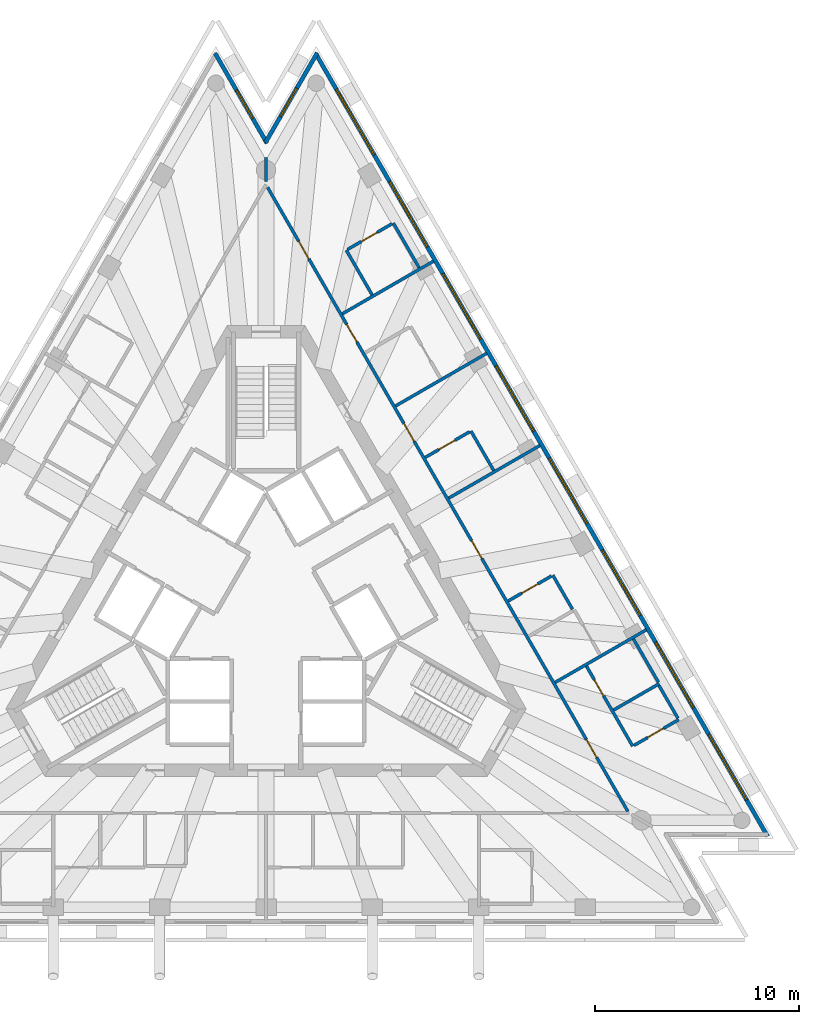
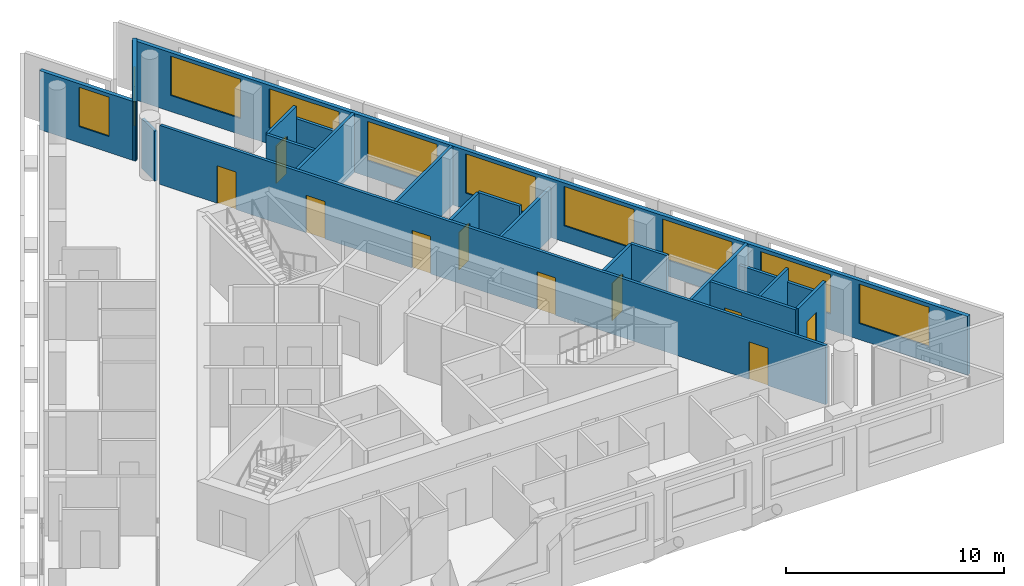
# One storey, part 7 of 10: 21 walls, 10 doors, 10 windows, 20 openings.
"""IFC4 building model written with IfcOpenShell, lengths in metres."""

from ifc_helpers import new_model, si_unit, direction, frame, frame_2d, origin, place, context, subcontext, project, spatial, rectangle, extrude, material, layer, layer_set, layer_usage, type_object, element, fill, save


model = new_model("IFC4")

# Units and contexts
model_context = context("Model", 3, precision=1e-05, world=origin(), true_north=direction((0.0, 1.0)))
body_context = subcontext(model_context, "Body", "Model", "MODEL_VIEW")
ifc_project = project(units=[si_unit("LENGTHUNIT", "METRE"), si_unit("AREAUNIT", "SQUARE_METRE"), si_unit("VOLUMEUNIT", "CUBIC_METRE"), si_unit("PLANEANGLEUNIT", "RADIAN"), si_unit("MASSUNIT", "GRAM", prefix="KILO")], contexts=[model_context])

# Site, building, storey
site_placement = place(None, origin())
site = spatial("IfcSite", under=ifc_project, at=site_placement, CompositionType="ELEMENT")
building_placement = place(site_placement, origin())
building = spatial("IfcBuilding", under=site, at=building_placement, Name="Triada Interchange Tower", CompositionType="ELEMENT")
storey_placement = place(building_placement, frame((0.0, 0.0, 318.699951171875)))
storey = spatial("IfcBuildingStorey", under=building, at=storey_placement, Name="L76", CompositionType="ELEMENT", Elevation=318.699951171875)

# Wall, openings, windows
ifc_material_1 = material(Name="Cement board")
ifc_layer_1 = layer(ifc_material_1, 0.02001953125, Name="Cement board cladding")
ifc_material_2 = material(Name="Sheathing board")
ifc_layer_2 = layer(ifc_material_2, 0.014892578125, Name="Sheathing board")
ifc_material_3 = material(Name="Mineral wool")
ifc_layer_3 = layer(ifc_material_3, 0.14990234375, Name="Mineral wool between steel studs")
ifc_material_4 = material(Name="Gypsum board")
ifc_layer_4 = layer(ifc_material_4, 0.014892578125, Name="Plasterboard lining")
ifc_layer_set_1 = layer_set([ifc_layer_1, ifc_layer_2, ifc_layer_3, ifc_layer_4], Name="External wall 200")
ifc_layer_usage = layer_usage(ifc_layer_set_1, "AXIS2", "POSITIVE", -0.10009765625)
wall_type_1 = type_object("IfcWallType", Name="External wall 200", PredefinedType="ELEMENTEDWALL", material=ifc_layer_set_1)
wall_1_placement = place(storey_placement, frame((24.5439453125, -11.385009765625, 0.0), z_axis=(0.0, 0.0, 1.0), x_axis=(-0.500002044679, 0.866024223285, 0.0)))
wall_1 = element("IfcWall", 1, at=wall_1_placement, inside=storey, type_object=wall_type_1, material=ifc_layer_usage, Name="External wall L76 NE", PredefinedType="ELEMENTEDWALL", context=body_context, shape_type="SweptSolid", body=[
    extrude(rectangle(XDim=44.243408203125, YDim=0.199951171875, at=frame_2d((22.12158203125, 0.0))), origin(), (0.0, 0.0, 1.0), 3.300048828125),
])
opening_1_placement = place(wall_1_placement, frame((2.055908203125, 0.0, 0.89990234375)))
opening_1 = element("IfcOpeningElement", 2, at=opening_1_placement, cuts=wall_1, Name="Opening WD21", PredefinedType="OPENING", context=body_context, shape_type="SweptSolid", body=[
    extrude(rectangle(XDim=3.699951171875, YDim=2.199951171875, at=frame_2d((1.85009765625, 1.10009765625))), frame((0.0, 0.10986328125, 0.0), z_axis=(0.0, -1.0, 0.0), x_axis=(1.0, 0.0, 0.0)), (0.0, 0.0, 1.0), 0.219970703125),
])
opening_2_placement = place(wall_1_placement, frame((7.263916015625, 0.0, 0.89990234375)))
opening_2 = element("IfcOpeningElement", 3, at=opening_2_placement, cuts=wall_1, Name="Opening WD22", PredefinedType="OPENING", context=body_context, shape_type="SweptSolid", body=[
    extrude(rectangle(XDim=3.699951171875, YDim=2.199951171875, at=frame_2d((1.85009765625, 1.10009765625))), frame((0.0, 0.10986328125, 0.0), z_axis=(0.0, -1.0, 0.0), x_axis=(1.0, 0.0, 0.0)), (0.0, 0.0, 1.0), 0.219970703125),
])
opening_3_placement = place(wall_1_placement, frame((12.470947265625, 0.0, 0.89990234375)))
opening_3 = element("IfcOpeningElement", 4, at=opening_3_placement, cuts=wall_1, Name="Opening WD23", PredefinedType="OPENING", context=body_context, shape_type="SweptSolid", body=[
    extrude(rectangle(XDim=3.699951171875, YDim=2.199951171875, at=frame_2d((1.85009765625, 1.10009765625))), frame((0.0, 0.10986328125, 0.0), z_axis=(0.0, -1.0, 0.0), x_axis=(1.0, 0.0, 0.0)), (0.0, 0.0, 1.0), 0.219970703125),
])
opening_4_placement = place(wall_1_placement, frame((17.677978515625, 0.0, 0.89990234375)))
opening_4 = element("IfcOpeningElement", 5, at=opening_4_placement, cuts=wall_1, Name="Opening WD24", PredefinedType="OPENING", context=body_context, shape_type="SweptSolid", body=[
    extrude(rectangle(XDim=3.699951171875, YDim=2.199951171875, at=frame_2d((1.85009765625, 1.10009765625))), frame((0.0, 0.10986328125, 0.0), z_axis=(0.0, -1.0, 0.0), x_axis=(1.0, 0.0, 0.0)), (0.0, 0.0, 1.0), 0.219970703125),
])
opening_5_placement = place(wall_1_placement, frame((22.885009765625, 0.0, 0.89990234375)))
opening_5 = element("IfcOpeningElement", 6, at=opening_5_placement, cuts=wall_1, Name="Opening WD25", PredefinedType="OPENING", context=body_context, shape_type="SweptSolid", body=[
    extrude(rectangle(XDim=3.699951171875, YDim=2.199951171875, at=frame_2d((1.85009765625, 1.10009765625))), frame((0.0, 0.10986328125, 0.0), z_axis=(0.0, -1.0, 0.0), x_axis=(1.0, 0.0, 0.0)), (0.0, 0.0, 1.0), 0.219970703125),
])
opening_6_placement = place(wall_1_placement, frame((28.093017578125, 0.0, 0.89990234375)))
opening_6 = element("IfcOpeningElement", 7, at=opening_6_placement, cuts=wall_1, Name="Opening WD26", PredefinedType="OPENING", context=body_context, shape_type="SweptSolid", body=[
    extrude(rectangle(XDim=3.699951171875, YDim=2.199951171875, at=frame_2d((1.85009765625, 1.10009765625))), frame((0.0, 0.10986328125, 0.0), z_axis=(0.0, -1.0, 0.0), x_axis=(1.0, 0.0, 0.0)), (0.0, 0.0, 1.0), 0.219970703125),
])
opening_7_placement = place(wall_1_placement, frame((33.300048828125, 0.0, 0.89990234375)))
opening_7 = element("IfcOpeningElement", 8, at=opening_7_placement, cuts=wall_1, Name="Opening WD27", PredefinedType="OPENING", context=body_context, shape_type="SweptSolid", body=[
    extrude(rectangle(XDim=3.699951171875, YDim=2.199951171875, at=frame_2d((1.85009765625, 1.10009765625))), frame((0.0, 0.10986328125, 0.0), z_axis=(0.0, -1.0, 0.0), x_axis=(1.0, 0.0, 0.0)), (0.0, 0.0, 1.0), 0.219970703125),
])
opening_8_placement = place(wall_1_placement, frame((38.507080078125, 0.0, 0.89990234375)))
opening_8 = element("IfcOpeningElement", 9, at=opening_8_placement, cuts=wall_1, Name="Opening WD28", PredefinedType="OPENING", context=body_context, shape_type="SweptSolid", body=[
    extrude(rectangle(XDim=3.699951171875, YDim=2.199951171875, at=frame_2d((1.85009765625, 1.10009765625))), frame((0.0, 0.10986328125, 0.0), z_axis=(0.0, -1.0, 0.0), x_axis=(1.0, 0.0, 0.0)), (0.0, 0.0, 1.0), 0.219970703125),
])
ifc_material_5 = material(Name="Double glazed aluminium window", Category="aluminium")
window_type_1 = type_object("IfcWindowType", Name="Ribbon window D face", PartitioningType="SINGLE_PANEL", PredefinedType="WINDOW", material=ifc_material_5)
window_1_placement = place(opening_1_placement, origin())
window_1 = element("IfcWindow", 10, at=window_1_placement, inside=storey, type_object=window_type_1, Name="Window L76 NE 1", OverallHeight=2.199951171875, OverallWidth=3.699951171875, PartitioningType="SINGLE_PANEL", PredefinedType="WINDOW", context=body_context, shape_type="SweptSolid", body=[
    extrude(rectangle(XDim=3.699951171875, YDim=2.199951171875, at=frame_2d((1.85009765625, 1.10009765625))), frame((0.0, 0.030029296875, 0.0), z_axis=(0.0, -1.0, 0.0), x_axis=(1.0, 0.0, 0.0)), (0.0, 0.0, 1.0), 0.06005859375),
])
fill(opening_1, window_1)
window_2_placement = place(opening_2_placement, origin())
window_2 = element("IfcWindow", 11, at=window_2_placement, inside=storey, type_object=window_type_1, Name="Window L76 NE 2", OverallHeight=2.199951171875, OverallWidth=3.699951171875, PartitioningType="SINGLE_PANEL", PredefinedType="WINDOW", context=body_context, shape_type="SweptSolid", body=[
    extrude(rectangle(XDim=3.699951171875, YDim=2.199951171875, at=frame_2d((1.85009765625, 1.10009765625))), frame((0.0, 0.030029296875, 0.0), z_axis=(0.0, -1.0, 0.0), x_axis=(1.0, 0.0, 0.0)), (0.0, 0.0, 1.0), 0.06005859375),
])
fill(opening_2, window_2)
window_3_placement = place(opening_3_placement, origin())
window_3 = element("IfcWindow", 12, at=window_3_placement, inside=storey, type_object=window_type_1, Name="Window L76 NE 3", OverallHeight=2.199951171875, OverallWidth=3.699951171875, PartitioningType="SINGLE_PANEL", PredefinedType="WINDOW", context=body_context, shape_type="SweptSolid", body=[
    extrude(rectangle(XDim=3.699951171875, YDim=2.199951171875, at=frame_2d((1.85009765625, 1.10009765625))), frame((0.0, 0.030029296875, 0.0), z_axis=(0.0, -1.0, 0.0), x_axis=(1.0, 0.0, 0.0)), (0.0, 0.0, 1.0), 0.06005859375),
])
fill(opening_3, window_3)
window_4_placement = place(opening_4_placement, origin())
window_4 = element("IfcWindow", 13, at=window_4_placement, inside=storey, type_object=window_type_1, Name="Window L76 NE 4", OverallHeight=2.199951171875, OverallWidth=3.699951171875, PartitioningType="SINGLE_PANEL", PredefinedType="WINDOW", context=body_context, shape_type="SweptSolid", body=[
    extrude(rectangle(XDim=3.699951171875, YDim=2.199951171875, at=frame_2d((1.85009765625, 1.10009765625))), frame((0.0, 0.030029296875, 0.0), z_axis=(0.0, -1.0, 0.0), x_axis=(1.0, 0.0, 0.0)), (0.0, 0.0, 1.0), 0.06005859375),
])
fill(opening_4, window_4)
window_5_placement = place(opening_5_placement, origin())
window_5 = element("IfcWindow", 14, at=window_5_placement, inside=storey, type_object=window_type_1, Name="Window L76 NE 5", OverallHeight=2.199951171875, OverallWidth=3.699951171875, PartitioningType="SINGLE_PANEL", PredefinedType="WINDOW", context=body_context, shape_type="SweptSolid", body=[
    extrude(rectangle(XDim=3.699951171875, YDim=2.199951171875, at=frame_2d((1.85009765625, 1.10009765625))), frame((0.0, 0.030029296875, 0.0), z_axis=(0.0, -1.0, 0.0), x_axis=(1.0, 0.0, 0.0)), (0.0, 0.0, 1.0), 0.06005859375),
])
fill(opening_5, window_5)
window_6_placement = place(opening_6_placement, origin())
window_6 = element("IfcWindow", 15, at=window_6_placement, inside=storey, type_object=window_type_1, Name="Window L76 NE 6", OverallHeight=2.199951171875, OverallWidth=3.699951171875, PartitioningType="SINGLE_PANEL", PredefinedType="WINDOW", context=body_context, shape_type="SweptSolid", body=[
    extrude(rectangle(XDim=3.699951171875, YDim=2.199951171875, at=frame_2d((1.85009765625, 1.10009765625))), frame((0.0, 0.030029296875, 0.0), z_axis=(0.0, -1.0, 0.0), x_axis=(1.0, 0.0, 0.0)), (0.0, 0.0, 1.0), 0.06005859375),
])
fill(opening_6, window_6)
window_7_placement = place(opening_7_placement, origin())
window_7 = element("IfcWindow", 16, at=window_7_placement, inside=storey, type_object=window_type_1, Name="Window L76 NE 7", OverallHeight=2.199951171875, OverallWidth=3.699951171875, PartitioningType="SINGLE_PANEL", PredefinedType="WINDOW", context=body_context, shape_type="SweptSolid", body=[
    extrude(rectangle(XDim=3.699951171875, YDim=2.199951171875, at=frame_2d((1.85009765625, 1.10009765625))), frame((0.0, 0.030029296875, 0.0), z_axis=(0.0, -1.0, 0.0), x_axis=(1.0, 0.0, 0.0)), (0.0, 0.0, 1.0), 0.06005859375),
])
fill(opening_7, window_7)
window_8_placement = place(opening_8_placement, origin())
window_8 = element("IfcWindow", 17, at=window_8_placement, inside=storey, type_object=window_type_1, Name="Window L76 NE 8", OverallHeight=2.199951171875, OverallWidth=3.699951171875, PartitioningType="SINGLE_PANEL", PredefinedType="WINDOW", context=body_context, shape_type="SweptSolid", body=[
    extrude(rectangle(XDim=3.699951171875, YDim=2.199951171875, at=frame_2d((1.85009765625, 1.10009765625))), frame((0.0, 0.030029296875, 0.0), z_axis=(0.0, -1.0, 0.0), x_axis=(1.0, 0.0, 0.0)), (0.0, 0.0, 1.0), 0.06005859375),
])
fill(opening_8, window_8)

# Wall, opening, window
wall_2_placement = place(storey_placement, frame((2.501953125, 26.947998046875, 0.0), z_axis=(0.0, 0.0, 1.0), x_axis=(-0.499911250765, -0.866076637116, 0.0)))
wall_2 = element("IfcWall", 18, at=wall_2_placement, inside=storey, type_object=wall_type_1, material=ifc_layer_usage, Name="External wall L76 N-1", PredefinedType="ELEMENTEDWALL", context=body_context, shape_type="SweptSolid", body=[
    extrude(rectangle(XDim=5.07470703125, YDim=0.199951171875, at=frame_2d((2.537353515625, 0.0))), origin(), (0.0, 0.0, 1.0), 3.300048828125),
])
opening_9_placement = place(wall_2_placement, frame((1.989990234375, 0.0, 0.89990234375)))
opening_9 = element("IfcOpeningElement", 19, at=opening_9_placement, cuts=wall_2, Name="Opening WD29", PredefinedType="OPENING", context=body_context, shape_type="SweptSolid", body=[
    extrude(rectangle(XDim=1.60009765625, YDim=2.199951171875, at=frame_2d((0.800048828125, 1.10009765625))), frame((0.0, 0.10986328125, 0.0), z_axis=(0.0, -1.0, 0.0), x_axis=(1.0, 0.0, 0.0)), (0.0, 0.0, 1.0), 0.219970703125),
])
window_type_2 = type_object("IfcWindowType", Name="Ribbon window D pocket", PartitioningType="SINGLE_PANEL", PredefinedType="WINDOW", material=ifc_material_5)
window_9_placement = place(opening_9_placement, origin())
window_9 = element("IfcWindow", 20, at=window_9_placement, inside=storey, type_object=window_type_2, Name="Window L76 N-1 1", OverallHeight=2.199951171875, OverallWidth=1.60009765625, PartitioningType="SINGLE_PANEL", PredefinedType="WINDOW", context=body_context, shape_type="SweptSolid", body=[
    extrude(rectangle(XDim=1.60009765625, YDim=2.199951171875, at=frame_2d((0.800048828125, 1.10009765625))), frame((0.0, 0.030029296875, 0.0), z_axis=(0.0, -1.0, 0.0), x_axis=(1.0, 0.0, 0.0)), (0.0, 0.0, 1.0), 0.06005859375),
])
fill(opening_9, window_9)

wall_3_placement = place(storey_placement, frame((0.044921875, 22.535888671875, 0.0), z_axis=(0.0, 0.0, 1.0), x_axis=(-0.499911250765, 0.866076637116, 0.0)))
wall_3 = element("IfcWall", 21, at=wall_3_placement, inside=storey, type_object=wall_type_1, material=ifc_layer_usage, Name="External wall L76 N-2", PredefinedType="ELEMENTEDWALL", context=body_context, shape_type="SweptSolid", body=[
    extrude(rectangle(XDim=5.07470703125, YDim=0.199951171875, at=frame_2d((2.537353515625, 0.0))), origin(), (0.0, 0.0, 1.0), 3.300048828125),
])
opening_10_placement = place(wall_3_placement, frame((1.389892578125, 0.0, 0.89990234375)))
opening_10 = element("IfcOpeningElement", 22, at=opening_10_placement, cuts=wall_3, Name="Opening WD30", PredefinedType="OPENING", context=body_context, shape_type="SweptSolid", body=[
    extrude(rectangle(XDim=1.60009765625, YDim=2.199951171875, at=frame_2d((0.800048828125, 1.10009765625))), frame((0.0, 0.10986328125, 0.0), z_axis=(0.0, -1.0, 0.0), x_axis=(1.0, 0.0, 0.0)), (0.0, 0.0, 1.0), 0.219970703125),
])
window_10_placement = place(opening_10_placement, origin())
window_10 = element("IfcWindow", 23, at=window_10_placement, inside=storey, type_object=window_type_2, Name="Window L76 N-2 1", OverallHeight=2.199951171875, OverallWidth=1.60009765625, PartitioningType="SINGLE_PANEL", PredefinedType="WINDOW", context=body_context, shape_type="SweptSolid", body=[
    extrude(rectangle(XDim=1.60009765625, YDim=2.199951171875, at=frame_2d((0.800048828125, 1.10009765625))), frame((0.0, 0.030029296875, 0.0), z_axis=(0.0, -1.0, 0.0), x_axis=(1.0, 0.0, 0.0)), (0.0, 0.0, 1.0), 0.06005859375),
])
fill(opening_10, window_10)

# Walls
ifc_material_6 = material(Name="Gypsum board partition")
ifc_layer_5 = layer(ifc_material_6, 0.14990234375)
ifc_layer_set_2 = layer_set([ifc_layer_5], Name="PARTITION 150 EI 180")
wall_type_2 = type_object("IfcWallType", Name="PARTITION 150 EI 180", PredefinedType="PARTITIONING", material=ifc_layer_set_2)
wall_4_placement = place(storey_placement, frame((8.94189453125, 5.162109375, 0.0), z_axis=(0.0, 0.0, 1.0), x_axis=(0.86604134632, 0.499972385701, 0.0)))
element("IfcWall", 24, at=wall_4_placement, inside=storey, type_object=wall_type_2, Name="Wall L74 2", PredefinedType="PARTITIONING", context=body_context, shape_type="SweptSolid", body=[
    extrude(rectangle(XDim=5.157958984375, YDim=0.14990234375, at=frame_2d((2.5791015625, 0.0))), origin(), (0.0, 0.0, 1.0), 2.800048828125),
])
wall_5_placement = place(storey_placement, frame((0.0, 20.64990234375, 0.0), z_axis=(0.0, 0.0, 1.0), x_axis=(0.0, 1.0, 0.0)))
element("IfcWall", 25, at=wall_5_placement, inside=storey, type_object=wall_type_2, Name="Wall L74 21", PredefinedType="PARTITIONING", context=body_context, shape_type="SweptSolid", body=[
    extrude(rectangle(XDim=1.18408203125, YDim=0.14990234375, at=frame_2d((0.592041015625, 0.0))), origin(), (0.0, 0.0, 1.0), 2.800048828125),
])

# Wall, openings, doors
wall_6_placement = place(storey_placement, frame((0.074951171875, 20.3701171875, 0.0), z_axis=(0.0, 0.0, 1.0), x_axis=(0.500006672087, -0.866021551619, 0.0)))
wall_6 = element("IfcWall", 26, at=wall_6_placement, inside=storey, type_object=wall_type_2, Name="Wall L74 22", PredefinedType="PARTITIONING", context=body_context, shape_type="SweptSolid", body=[
    extrude(rectangle(XDim=35.26953125, YDim=0.14990234375, at=frame_2d((17.634765625, 0.0))), origin(), (0.0, 0.0, 1.0), 3.300048828125),
])
opening_11_placement = place(wall_6_placement, frame((31.2060546875, 0.0, 0.0)))
opening_11 = element("IfcOpeningElement", 27, at=opening_11_placement, cuts=wall_6, Name="Opening D74-23", PredefinedType="OPENING", context=body_context, shape_type="SweptSolid", body=[
    extrude(rectangle(XDim=1.0, YDim=2.10009765625, at=frame_2d((0.5, 1.050048828125))), frame((0.0, 0.0849609375, 0.0), z_axis=(0.0, -1.0, 0.0), x_axis=(1.0, 0.0, 0.0)), (0.0, 0.0, 1.0), 0.169921875),
])
opening_12_placement = place(wall_6_placement, frame((19.968017578125, 0.0, 0.0)))
opening_12 = element("IfcOpeningElement", 28, at=opening_12_placement, cuts=wall_6, Name="Opening D74-26", PredefinedType="OPENING", context=body_context, shape_type="SweptSolid", body=[
    extrude(rectangle(XDim=1.0, YDim=2.10009765625, at=frame_2d((0.5, 1.050048828125))), frame((0.0, 0.0849609375, 0.0), z_axis=(0.0, -1.0, 0.0), x_axis=(1.0, 0.0, 0.0)), (0.0, 0.0, 1.0), 0.169921875),
])
opening_13_placement = place(wall_6_placement, frame((13.35302734375, 0.0, 0.0)))
opening_13 = element("IfcOpeningElement", 29, at=opening_13_placement, cuts=wall_6, Name="Opening D74-29", PredefinedType="OPENING", context=body_context, shape_type="SweptSolid", body=[
    extrude(rectangle(XDim=1.0, YDim=2.10009765625, at=frame_2d((0.5, 1.050048828125))), frame((0.0, 0.0849609375, 0.0), z_axis=(0.0, -1.0, 0.0), x_axis=(1.0, 0.0, 0.0)), (0.0, 0.0, 1.0), 0.169921875),
])
opening_14_placement = place(wall_6_placement, frame((7.74609375, 0.0, 0.0)))
opening_14 = element("IfcOpeningElement", 30, at=opening_14_placement, cuts=wall_6, Name="Opening D74-31", PredefinedType="OPENING", context=body_context, shape_type="SweptSolid", body=[
    extrude(rectangle(XDim=1.0, YDim=2.10009765625, at=frame_2d((0.5, 1.050048828125))), frame((0.0, 0.0849609375, 0.0), z_axis=(0.0, -1.0, 0.0), x_axis=(1.0, 0.0, 0.0)), (0.0, 0.0, 1.0), 0.169921875),
])
opening_15_placement = place(wall_6_placement, frame((3.0380859375, 0.0, 0.0)))
opening_15 = element("IfcOpeningElement", 31, at=opening_15_placement, cuts=wall_6, Name="Opening D74-33", PredefinedType="OPENING", context=body_context, shape_type="SweptSolid", body=[
    extrude(rectangle(XDim=1.0, YDim=2.10009765625, at=frame_2d((0.5, 1.050048828125))), frame((0.0, 0.0849609375, 0.0), z_axis=(0.0, -1.0, 0.0), x_axis=(1.0, 0.0, 0.0)), (0.0, 0.0, 1.0), 0.169921875),
])
ifc_material_7 = material(Name="Steel S235 door leaf", Category="steel")
door_type_1 = type_object("IfcDoorType", Name="GUEST ROOM DOOR 1000 EI2 90-C5S200", OperationType="NOTDEFINED", PredefinedType="DOOR", material=ifc_material_7)
door_1_placement = place(opening_11_placement, origin())
door_1 = element("IfcDoor", 32, at=door_1_placement, inside=storey, type_object=door_type_1, Name="Door D74-23 L76", OperationType="SINGLE_SWING_RIGHT", OverallHeight=2.10009765625, OverallWidth=1.0, PredefinedType="DOOR", context=body_context, shape_type="SweptSolid", body=[
    extrude(rectangle(XDim=1.0, YDim=2.10009765625, at=frame_2d((0.5, 1.050048828125))), frame((0.0, 0.02490234375, 0.0), z_axis=(0.0, -1.0, 0.0), x_axis=(1.0, 0.0, 0.0)), (0.0, 0.0, 1.0), 0.050048828125),
])
fill(opening_11, door_1)
door_2_placement = place(opening_12_placement, origin())
door_2 = element("IfcDoor", 33, at=door_2_placement, inside=storey, type_object=door_type_1, Name="Door D74-26 L76", OperationType="SINGLE_SWING_RIGHT", OverallHeight=2.10009765625, OverallWidth=1.0, PredefinedType="DOOR", context=body_context, shape_type="SweptSolid", body=[
    extrude(rectangle(XDim=1.0, YDim=2.10009765625, at=frame_2d((0.5, 1.050048828125))), frame((0.0, 0.02490234375, 0.0), z_axis=(0.0, -1.0, 0.0), x_axis=(1.0, 0.0, 0.0)), (0.0, 0.0, 1.0), 0.050048828125),
])
fill(opening_12, door_2)
door_3_placement = place(opening_13_placement, origin())
door_3 = element("IfcDoor", 34, at=door_3_placement, inside=storey, type_object=door_type_1, Name="Door D74-29 L76", OperationType="SINGLE_SWING_LEFT", OverallHeight=2.10009765625, OverallWidth=1.0, PredefinedType="DOOR", context=body_context, shape_type="SweptSolid", body=[
    extrude(rectangle(XDim=1.0, YDim=2.10009765625, at=frame_2d((0.5, 1.050048828125))), frame((0.0, 0.02490234375, 0.0), z_axis=(0.0, -1.0, 0.0), x_axis=(1.0, 0.0, 0.0)), (0.0, 0.0, 1.0), 0.050048828125),
])
fill(opening_13, door_3)
door_4_placement = place(opening_14_placement, origin())
door_4 = element("IfcDoor", 35, at=door_4_placement, inside=storey, type_object=door_type_1, Name="Door D74-31 L76", OperationType="SINGLE_SWING_RIGHT", OverallHeight=2.10009765625, OverallWidth=1.0, PredefinedType="DOOR", context=body_context, shape_type="SweptSolid", body=[
    extrude(rectangle(XDim=1.0, YDim=2.10009765625, at=frame_2d((0.5, 1.050048828125))), frame((0.0, 0.02490234375, 0.0), z_axis=(0.0, -1.0, 0.0), x_axis=(1.0, 0.0, 0.0)), (0.0, 0.0, 1.0), 0.050048828125),
])
fill(opening_14, door_4)
door_5_placement = place(opening_15_placement, origin())
door_5 = element("IfcDoor", 36, at=door_5_placement, inside=storey, type_object=door_type_1, Name="Door D74-33 L76", OperationType="SINGLE_SWING_LEFT", OverallHeight=2.10009765625, OverallWidth=1.0, PredefinedType="DOOR", context=body_context, shape_type="SweptSolid", body=[
    extrude(rectangle(XDim=1.0, YDim=2.10009765625, at=frame_2d((0.5, 1.050048828125))), frame((0.0, 0.02490234375, 0.0), z_axis=(0.0, -1.0, 0.0), x_axis=(1.0, 0.0, 0.0)), (0.0, 0.0, 1.0), 0.050048828125),
])
fill(opening_15, door_5)

# Walls
wall_7_placement = place(storey_placement, frame((3.73388671875, 14.181884765625, 0.0), z_axis=(0.0, 0.0, 1.0), x_axis=(0.866020851292, 0.500007885066, 0.0)))
element("IfcWall", 37, at=wall_7_placement, inside=storey, type_object=wall_type_2, Name="Wall L74 24", PredefinedType="PARTITIONING", context=body_context, shape_type="SweptSolid", body=[
    extrude(rectangle(XDim=5.158203125, YDim=0.14990234375, at=frame_2d((2.5791015625, 0.0))), origin(), (0.0, 0.0, 1.0), 3.300048828125),
])
for number, where, z_axis, x_axis, name in (
    (38, (6.337890625, 9.672119140625, 0.0), (0.0, 0.0, 1.0), (0.86604134632, 0.499972385701, 0.0), "Wall L74 27"),
    (39, (14.14892578125, -3.85693359375, 0.0), (0.0, 0.0, 1.0), (0.86604134632, 0.499972385701, 0.0), "Wall L74 29"),
):
    element("IfcWall", number, at=place(storey_placement, frame(where, z_axis=z_axis, x_axis=x_axis)), inside=storey, type_object=wall_type_2, Name=name, PredefinedType="PARTITIONING", context=body_context, shape_type="SweptSolid", body=[
        extrude(rectangle(XDim=5.157958984375, YDim=0.14990234375, at=frame_2d((2.5791015625, 0.0))), origin(), (0.0, 0.0, 1.0), 3.300048828125),
    ])
ifc_layer_6 = layer(ifc_material_6, 0.14990234375)
ifc_layer_set_3 = layer_set([ifc_layer_6], Name="PARTITION 150 EI 90")
wall_type_3 = type_object("IfcWallType", Name="PARTITION 150 EI 90", PredefinedType="PARTITIONING", material=ifc_layer_set_3)
wall_8_placement = place(storey_placement, frame((10.027099609375, 8.445068359375, 0.0), z_axis=(0.0, 0.0, 1.0), x_axis=(0.500080171303, -0.865979111913, 0.0)))
element("IfcWall", 40, at=wall_8_placement, inside=storey, type_object=wall_type_3, Name="Wall L74 48", PredefinedType="PARTITIONING", context=body_context, shape_type="SweptSolid", body=[
    extrude(rectangle(XDim=2.225341796875, YDim=0.14990234375, at=frame_2d((1.11279296875, 0.0))), origin(), (0.0, 0.0, 1.0), 3.300048828125),
])

# Wall, opening, door
wall_9_placement = place(storey_placement, frame((7.7919921875, 7.155029296875, 0.0), z_axis=(0.0, 0.0, 1.0), x_axis=(0.866003851672, 0.500037327496, 0.0)))
wall_9 = element("IfcWall", 41, at=wall_9_placement, inside=storey, type_object=wall_type_3, Name="Wall L74 51", PredefinedType="PARTITIONING", context=body_context, shape_type="SweptSolid", body=[
    extrude(rectangle(XDim=2.505615234375, YDim=0.14990234375, at=frame_2d((1.2529296875, 0.0))), origin(), (0.0, 0.0, 1.0), 3.300048828125),
])
opening_16_placement = place(wall_9_placement, frame((0.77392578125, 0.0, 0.0)))
opening_16 = element("IfcOpeningElement", 42, at=opening_16_placement, cuts=wall_9, Name="Opening D74-30", PredefinedType="OPENING", context=body_context, shape_type="SweptSolid", body=[
    extrude(rectangle(XDim=0.89990234375, YDim=2.10009765625, at=frame_2d((0.449951171875, 1.050048828125))), frame((0.0, 0.0849609375, 0.0), z_axis=(0.0, -1.0, 0.0), x_axis=(1.0, 0.0, 0.0)), (0.0, 0.0, 1.0), 0.169921875),
])
door_type_2 = type_object("IfcDoorType", Name="ROOM DOOR 900 EI2 45-C5S200", OperationType="NOTDEFINED", PredefinedType="DOOR", material=ifc_material_7)
door_6_placement = place(opening_16_placement, origin())
door_6 = element("IfcDoor", 43, at=door_6_placement, inside=storey, type_object=door_type_2, Name="Door D74-30 L76", OperationType="SINGLE_SWING_RIGHT", OverallHeight=2.10009765625, OverallWidth=0.89990234375, PredefinedType="DOOR", context=body_context, shape_type="SweptSolid", body=[
    extrude(rectangle(XDim=0.89990234375, YDim=2.10009765625, at=frame_2d((0.449951171875, 1.050048828125))), frame((0.0, 0.02490234375, 0.0), z_axis=(0.0, -1.0, 0.0), x_axis=(1.0, 0.0, 0.0)), (0.0, 0.0, 1.0), 0.050048828125),
])
fill(opening_16, door_6)

# Wall
wall_10_placement = place(storey_placement, frame((14.035888671875, 1.388916015625, 0.0), z_axis=(0.0, 0.0, 1.0), x_axis=(0.499890818081, -0.866088430819, 0.0)))
element("IfcWall", 44, at=wall_10_placement, inside=storey, type_object=wall_type_3, Name="Wall L74 53", PredefinedType="PARTITIONING", context=body_context, shape_type="SweptSolid", body=[
    extrude(rectangle(XDim=1.9248046875, YDim=0.14990234375, at=frame_2d((0.96240234375, 0.0))), origin(), (0.0, 0.0, 1.0), 3.300048828125),
])

# Wall, opening, door
wall_11_placement = place(storey_placement, frame((11.84912109375, 0.126953125, 0.0), z_axis=(0.0, 0.0, 1.0), x_axis=(0.866014668023, 0.500018594424, 0.0)))
wall_11 = element("IfcWall", 45, at=wall_11_placement, inside=storey, type_object=wall_type_3, Name="Wall L74 54", PredefinedType="PARTITIONING", context=body_context, shape_type="SweptSolid", body=[
    extrude(rectangle(XDim=2.4501953125, YDim=0.14990234375, at=frame_2d((1.22509765625, 0.0))), origin(), (0.0, 0.0, 1.0), 3.300048828125),
])
opening_17_placement = place(wall_11_placement, frame((0.77490234375, 0.0, 0.0)))
opening_17 = element("IfcOpeningElement", 46, at=opening_17_placement, cuts=wall_11, Name="Opening D74-28", PredefinedType="OPENING", context=body_context, shape_type="SweptSolid", body=[
    extrude(rectangle(XDim=0.89990234375, YDim=2.10009765625, at=frame_2d((0.449951171875, 1.050048828125))), frame((0.0, 0.0849609375, 0.0), z_axis=(0.0, -1.0, 0.0), x_axis=(1.0, 0.0, 0.0)), (0.0, 0.0, 1.0), 0.169921875),
])
door_type_3 = type_object("IfcDoorType", Name="SERVICE DOOR 900 EI2 45-C5S200", OperationType="NOTDEFINED", PredefinedType="DOOR", material=ifc_material_7)
door_7_placement = place(opening_17_placement, origin())
door_7 = element("IfcDoor", 47, at=door_7_placement, inside=storey, type_object=door_type_3, Name="Door D74-28 L76", OperationType="SINGLE_SWING_RIGHT", OverallHeight=2.10009765625, OverallWidth=0.89990234375, PredefinedType="DOOR", context=body_context, shape_type="SweptSolid", body=[
    extrude(rectangle(XDim=0.89990234375, YDim=2.10009765625, at=frame_2d((0.449951171875, 1.050048828125))), frame((0.0, 0.02490234375, 0.0), z_axis=(0.0, -1.0, 0.0), x_axis=(1.0, 0.0, 0.0)), (0.0, 0.0, 1.0), 0.050048828125),
])
fill(opening_17, door_7)

# Wall
wall_12_placement = place(storey_placement, frame((3.927978515625, 17.2958984375, 0.0), z_axis=(0.0, 0.0, 1.0), x_axis=(0.50028887667, -0.865858556509, 0.0)))
element("IfcWall", 48, at=wall_12_placement, inside=storey, type_object=wall_type_3, Name="Wall L74 56", PredefinedType="PARTITIONING", context=body_context, shape_type="SweptSolid", body=[
    extrude(rectangle(XDim=2.5244140625, YDim=0.14990234375, at=frame_2d((1.26220703125, 0.0))), origin(), (0.0, 0.0, 1.0), 3.300048828125),
])

# Wall, opening, door
wall_13_placement = place(storey_placement, frame((15.679931640625, -3.05908203125, 0.0), z_axis=(0.0, 0.0, 1.0), x_axis=(0.500096029888, -0.865969953804, 0.0)))
wall_13 = element("IfcWall", 49, at=wall_13_placement, inside=storey, type_object=wall_type_3, Name="Wall L74 57", PredefinedType="PARTITIONING", context=body_context, shape_type="SweptSolid", body=[
    extrude(rectangle(XDim=4.525390625, YDim=0.14990234375, at=frame_2d((2.2626953125, 0.0))), origin(), (0.0, 0.0, 1.0), 3.300048828125),
])
opening_18_placement = place(wall_13_placement, frame((0.77587890625, 0.0, 0.0)))
opening_18 = element("IfcOpeningElement", 50, at=opening_18_placement, cuts=wall_13, Name="Opening D74-24", PredefinedType="OPENING", context=body_context, shape_type="SweptSolid", body=[
    extrude(rectangle(XDim=0.89990234375, YDim=2.10009765625, at=frame_2d((0.449951171875, 1.050048828125))), frame((0.0, 0.0849609375, 0.0), z_axis=(0.0, -1.0, 0.0), x_axis=(1.0, 0.0, 0.0)), (0.0, 0.0, 1.0), 0.169921875),
])
door_8_placement = place(opening_18_placement, origin())
door_8 = element("IfcDoor", 51, at=door_8_placement, inside=storey, type_object=door_type_2, Name="Door D74-24 L76", OperationType="SINGLE_SWING_LEFT", OverallHeight=2.10009765625, OverallWidth=0.89990234375, PredefinedType="DOOR", context=body_context, shape_type="SweptSolid", body=[
    extrude(rectangle(XDim=0.89990234375, YDim=2.10009765625, at=frame_2d((0.449951171875, 1.050048828125))), frame((0.0, 0.02490234375, 0.0), z_axis=(0.0, -1.0, 0.0), x_axis=(1.0, 0.0, 0.0)), (0.0, 0.0, 1.0), 0.050048828125),
])
fill(opening_18, door_8)

# Wall
wall_14_placement = place(storey_placement, frame((17.008056640625, -5.208984375, 0.0), z_axis=(0.0, 0.0, 1.0), x_axis=(0.865999760466, 0.500044412901, 0.0)))
element("IfcWall", 52, at=wall_14_placement, inside=storey, type_object=wall_type_3, Name="Wall L74 58", PredefinedType="PARTITIONING", context=body_context, shape_type="SweptSolid", body=[
    extrude(rectangle(XDim=2.581787109375, YDim=0.14990234375, at=frame_2d((1.291015625, 0.0))), origin(), (0.0, 0.0, 1.0), 3.300048828125),
])

# Wall, opening, door
wall_15_placement = place(storey_placement, frame((18.008056640625, -6.94091796875, 0.0), z_axis=(0.0, 0.0, 1.0), x_axis=(0.865979509711, 0.500079482444, 0.0)))
wall_15 = element("IfcWall", 53, at=wall_15_placement, inside=storey, type_object=wall_type_3, Name="Wall L74 59", PredefinedType="PARTITIONING", context=body_context, shape_type="SweptSolid", body=[
    extrude(rectangle(XDim=2.525390625, YDim=0.14990234375, at=frame_2d((1.2626953125, 0.0))), origin(), (0.0, 0.0, 1.0), 3.300048828125),
])
opening_19_placement = place(wall_15_placement, frame((0.77490234375, 0.0, 0.0)))
opening_19 = element("IfcOpeningElement", 54, at=opening_19_placement, cuts=wall_15, Name="Opening D74-25", PredefinedType="OPENING", context=body_context, shape_type="SweptSolid", body=[
    extrude(rectangle(XDim=0.89990234375, YDim=2.10009765625, at=frame_2d((0.449951171875, 1.050048828125))), frame((0.0, 0.0849609375, 0.0), z_axis=(0.0, -1.0, 0.0), x_axis=(1.0, 0.0, 0.0)), (0.0, 0.0, 1.0), 0.169921875),
])
door_9_placement = place(opening_19_placement, origin())
door_9 = element("IfcDoor", 55, at=door_9_placement, inside=storey, type_object=door_type_3, Name="Door D74-25 L76", OperationType="SINGLE_SWING_RIGHT", OverallHeight=2.10009765625, OverallWidth=0.89990234375, PredefinedType="DOOR", context=body_context, shape_type="SweptSolid", body=[
    extrude(rectangle(XDim=0.89990234375, YDim=2.10009765625, at=frame_2d((0.449951171875, 1.050048828125))), frame((0.0, 0.02490234375, 0.0), z_axis=(0.0, -1.0, 0.0), x_axis=(1.0, 0.0, 0.0)), (0.0, 0.0, 1.0), 0.050048828125),
])
fill(opening_19, door_9)

# Walls
wall_16_placement = place(storey_placement, frame((19.23193359375, -4.010986328125, 0.0), z_axis=(0.0, 0.0, 1.0), x_axis=(0.500042316284, -0.866000971088, 0.0)))
element("IfcWall", 56, at=wall_16_placement, inside=storey, type_object=wall_type_3, Name="Wall L74 60", PredefinedType="PARTITIONING", context=body_context, shape_type="SweptSolid", body=[
    extrude(rectangle(XDim=1.849853515625, YDim=0.14990234375, at=frame_2d((0.9248046875, 0.0))), origin(), (0.0, 0.0, 1.0), 2.60009765625),
])
wall_17_placement = place(storey_placement, frame((6.22900390625, 18.625, 0.0), z_axis=(0.0, 0.0, 1.0), x_axis=(0.499789415832, -0.866146950478, 0.0)))
element("IfcWall", 57, at=wall_17_placement, inside=storey, type_object=wall_type_3, Name="Wall L74 61", PredefinedType="PARTITIONING", context=body_context, shape_type="SweptSolid", body=[
    extrude(rectangle(XDim=2.52490234375, YDim=0.14990234375, at=frame_2d((1.262451171875, 0.0))), origin(), (0.0, 0.0, 1.0), 2.60009765625),
])
wall_18_placement = place(storey_placement, frame((17.98095703125, -1.73095703125, 0.0), z_axis=(0.0, 0.0, 1.0), x_axis=(0.499975448907, -0.8660395779, 0.0)))
element("IfcWall", 58, at=wall_18_placement, inside=storey, type_object=wall_type_3, Name="Wall L74 62", PredefinedType="PARTITIONING", context=body_context, shape_type="SweptSolid", body=[
    extrude(rectangle(XDim=2.4501953125, YDim=0.14990234375, at=frame_2d((1.22509765625, 0.0))), origin(), (0.0, 0.0, 1.0), 2.60009765625),
])

# Wall, opening, door
wall_19_placement = place(storey_placement, frame((3.992919921875, 17.333984375, 0.0), z_axis=(0.0, 0.0, 1.0), x_axis=(0.866125586781, 0.4998264378, 0.0)))
wall_19 = element("IfcWall", 59, at=wall_19_placement, inside=storey, type_object=wall_type_3, Name="Wall L74 63", PredefinedType="PARTITIONING", context=body_context, shape_type="SweptSolid", body=[
    extrude(rectangle(XDim=2.5068359375, YDim=0.14990234375, at=frame_2d((1.25341796875, 0.0))), origin(), (0.0, 0.0, 1.0), 3.300048828125),
])
opening_20_placement = place(wall_19_placement, frame((0.77490234375, 0.0, 0.0)))
opening_20 = element("IfcOpeningElement", 60, at=opening_20_placement, cuts=wall_19, Name="Opening D74-34", PredefinedType="OPENING", context=body_context, shape_type="SweptSolid", body=[
    extrude(rectangle(XDim=0.89990234375, YDim=2.10009765625, at=frame_2d((0.449951171875, 1.050048828125))), frame((0.0, 0.0849609375, 0.0), z_axis=(0.0, -1.0, 0.0), x_axis=(1.0, 0.0, 0.0)), (0.0, 0.0, 1.0), 0.169921875),
])
door_10_placement = place(opening_20_placement, origin())
door_10 = element("IfcDoor", 61, at=door_10_placement, inside=storey, type_object=door_type_2, Name="Door D74-34 L76", OperationType="SINGLE_SWING_LEFT", OverallHeight=2.10009765625, OverallWidth=0.89990234375, PredefinedType="DOOR", context=body_context, shape_type="SweptSolid", body=[
    extrude(rectangle(XDim=0.89990234375, YDim=2.10009765625, at=frame_2d((0.449951171875, 1.050048828125))), frame((0.0, 0.02490234375, 0.0), z_axis=(0.0, -1.0, 0.0), x_axis=(1.0, 0.0, 0.0)), (0.0, 0.0, 1.0), 0.050048828125),
])
fill(opening_20, door_10)

save(model, "model.ifc")
